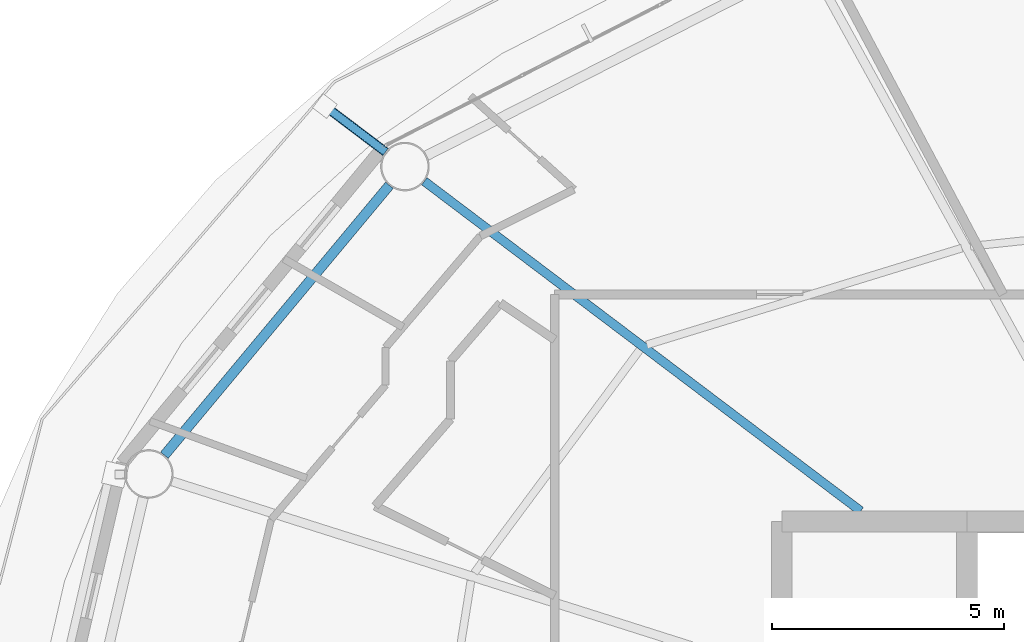
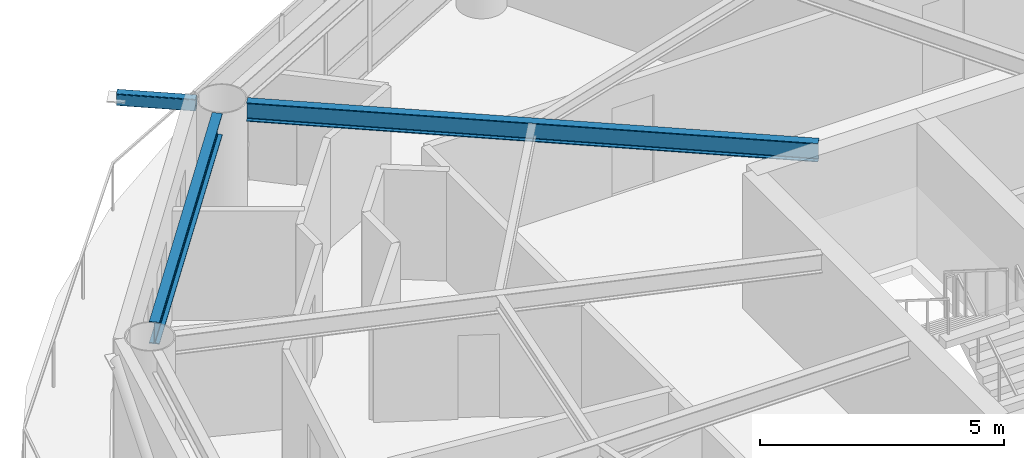
# One storey, part 10 of 27: 2 beams, 1 member.
"""IFC4 building model written with IfcOpenShell, lengths in metres."""

from ifc_helpers import new_model, si_unit, direction, frame, origin, origin_2d, place, context, subcontext, project, spatial, hollow_rectangle, i_section, extrude, material, material_profile, profile_set, type_object, element, save


model = new_model("IFC4")

# Units and contexts
model_context = context("Model", 3, precision=1e-05, world=origin(), true_north=direction((0.0, 1.0)))
body_context = subcontext(model_context, "Body", "Model", "MODEL_VIEW")
ifc_project = project(units=[si_unit("LENGTHUNIT", "METRE"), si_unit("AREAUNIT", "SQUARE_METRE"), si_unit("VOLUMEUNIT", "CUBIC_METRE"), si_unit("PLANEANGLEUNIT", "RADIAN"), si_unit("MASSUNIT", "GRAM", prefix="KILO")], contexts=[model_context])

# Site, building, storey
site_placement = place(None, origin())
site = spatial("IfcSite", under=ifc_project, at=site_placement, CompositionType="ELEMENT")
building_placement = place(site_placement, origin())
building = spatial("IfcBuilding", under=site, at=building_placement, Name="Sarneth Arch Tower", CompositionType="ELEMENT")
storey_placement = place(building_placement, frame((0.0, 0.0, 157.800048828125)))
storey = spatial("IfcBuildingStorey", under=building, at=storey_placement, Name="L39", CompositionType="ELEMENT", Elevation=157.800048828125)

# Beams
ifc_material_1 = material(Name="Steel S355", Category="steel")
ifc_material_profile_1 = material_profile(ifc_material_1, i_section(OverallWidth=0.193115234375, OverallDepth=0.466064453125, WebThickness=0.011474609375, FlangeThickness=0.01904296875, FilletRadius=0.01806640625, at=origin_2d()), Name="W460x97")
ifc_profile_set_1 = profile_set([ifc_material_profile_1], Name="Steel S355")
beam_type_1 = type_object("IfcBeamType", Name="BM-RAD-460C", PredefinedType="BEAM", material=ifc_profile_set_1)
beam_1_placement = place(storey_placement, frame((38.70458984375, 49.02490234375, 3.14697265625), z_axis=(-0.797786205076, 0.602940437349, 0.0), x_axis=(-0.602940437349, -0.797786205076, 0.0)))
element("IfcBeam", 1, at=beam_1_placement, inside=storey, type_object=beam_type_1, Name="L39 Radial floor girder 07", PredefinedType="BEAM", context=body_context, shape_type="SweptSolid", body=[
    extrude(i_section(OverallWidth=0.193115234375, OverallDepth=0.466064453125, WebThickness=0.011474609375, FlangeThickness=0.01904296875, FilletRadius=0.01806640625, at=origin_2d()), origin(), (0.0, 0.0, 1.0), 11.806884765625),
])
ifc_material_2 = material(Name="Steel S355", Category="steel")
ifc_material_profile_2 = material_profile(ifc_material_2, i_section(OverallWidth=0.214111328125, OverallDepth=0.549072265625, WebThickness=0.0146484375, FlangeThickness=0.023681640625, FilletRadius=0.01806640625, at=origin_2d()), Name="W530x138")
ifc_profile_set_2 = profile_set([ifc_material_profile_2], Name="Steel S355")
beam_type_2 = type_object("IfcBeamType", Name="BM-RAD-530A", PredefinedType="BEAM", material=ifc_profile_set_2)
beam_2_placement = place(storey_placement, frame((28.530029296875, 56.056884765625, 3.10546875), z_axis=(-0.640171737024, -0.768231831621, 0.0), x_axis=(0.768231831621, -0.640171737024, 0.0)))
element("IfcBeam", 2, at=beam_2_placement, inside=storey, type_object=beam_type_2, Name="L39 Perimeter spandrel beam 07", PredefinedType="BEAM", context=body_context, shape_type="SweptSolid", body=[
    extrude(i_section(OverallWidth=0.214111328125, OverallDepth=0.549072265625, WebThickness=0.0146484375, FlangeThickness=0.023681640625, FilletRadius=0.01806640625, at=origin_2d()), origin(), (0.0, 0.0, 1.0), 7.585693359375),
])

# Member
ifc_material_3 = material(Name="Steel S355", Category="steel")
ifc_material_profile_3 = material_profile(ifc_material_3, hollow_rectangle(XDim=0.199951171875, YDim=0.300048828125, WallThickness=0.012451171875, InnerFilletRadius=0.018798828125, OuterFilletRadius=0.03125, at=origin_2d()), Name="RHS300x200x12.5")
ifc_profile_set_3 = profile_set([ifc_material_profile_3], Name="Steel S355")
member_type = type_object("IfcMemberType", Name="MEM-CANT-STRUT", PredefinedType="STRUT", material=ifc_profile_set_3)
member_placement = place(storey_placement, frame((28.447265625, 56.77685546875, 3.219970703125), z_axis=(-0.797706512891, 0.603045868315, 0.0), x_axis=(-0.603045868315, -0.797706512891, 0.0)))
element("IfcMember", 3, at=member_placement, inside=storey, type_object=member_type, Name="L39 Balcony cantilever bracket 07", PredefinedType="STRUT", context=body_context, shape_type="SweptSolid", body=[
    extrude(hollow_rectangle(XDim=0.199951171875, YDim=0.300048828125, WallThickness=0.012451171875, InnerFilletRadius=0.018798828125, OuterFilletRadius=0.03125, at=origin_2d()), origin(), (0.0, 0.0, 1.0), 1.63916015625),
])

save(model, "model.ifc")
